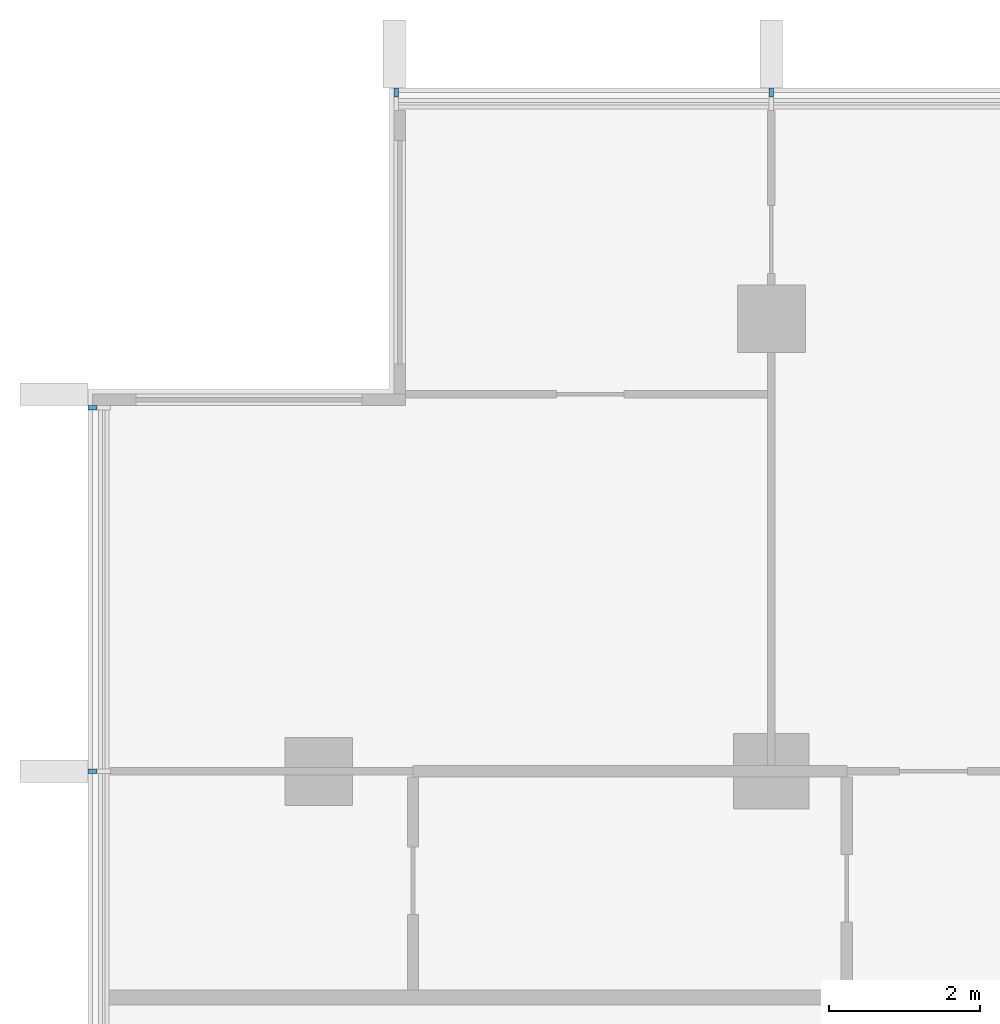
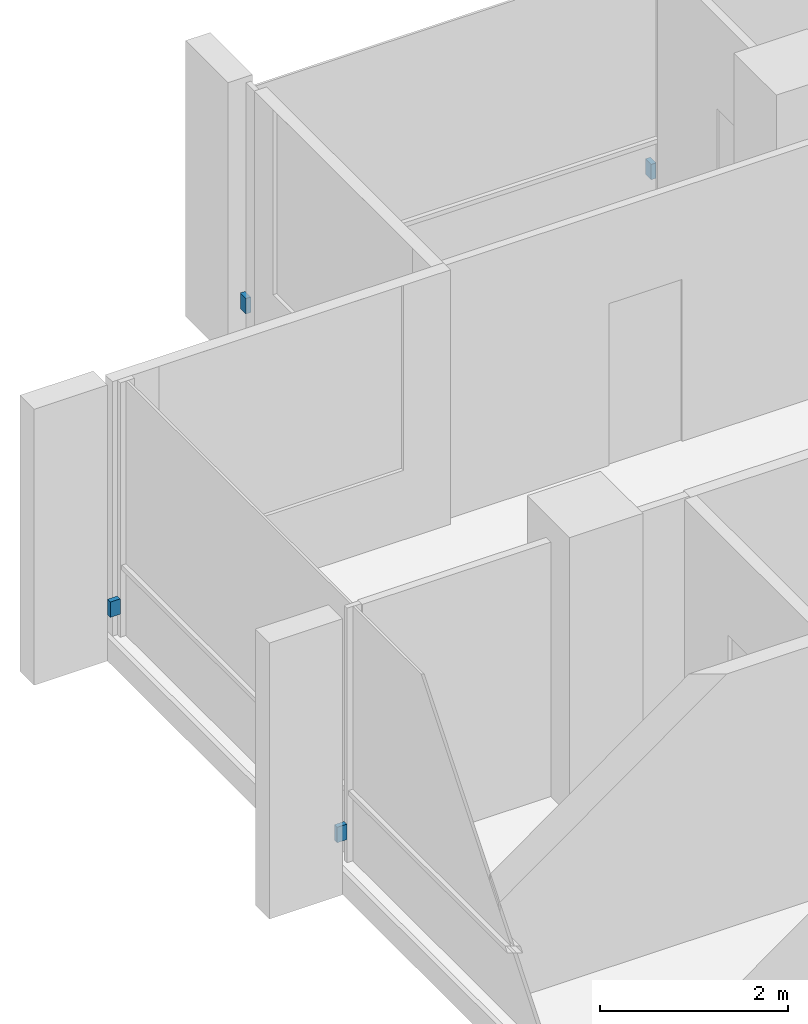
# One storey, part 14 of 16: 4 discrete accessories.
"""IFC4 building model written with IfcOpenShell, lengths in metres."""

from ifc_helpers import new_model, si_unit, direction, frame, origin, origin_2d, place, context, subcontext, project, spatial, rectangle, extrude, material, type_object, element, save


model = new_model("IFC4")

# Units and contexts
model_context = context("Model", 3, precision=1e-05, world=origin(), true_north=direction((0.0, 1.0)))
body_context = subcontext(model_context, "Body", "Model", "MODEL_VIEW")
ifc_project = project(units=[si_unit("LENGTHUNIT", "METRE"), si_unit("AREAUNIT", "SQUARE_METRE"), si_unit("VOLUMEUNIT", "CUBIC_METRE"), si_unit("PLANEANGLEUNIT", "RADIAN"), si_unit("MASSUNIT", "GRAM", prefix="KILO")], contexts=[model_context])

# Site, building, storey
site_placement = place(None, origin())
site = spatial("IfcSite", under=ifc_project, at=site_placement, CompositionType="ELEMENT")
building_placement = place(site_placement, origin())
building = spatial("IfcBuilding", under=site, at=building_placement, Name="Finial Court Residences", CompositionType="ELEMENT")
storey_placement = place(building_placement, frame((0.0, 0.0, 188.89990234375)))
storey = spatial("IfcBuildingStorey", under=building, at=storey_placement, Name="L47", CompositionType="ELEMENT", Elevation=188.89990234375)

# Discrete accessories
ifc_material = material(Name="Stainless steel 316", Category="steel")
discrete_accessory_type = type_object("IfcDiscreteAccessoryType", Name="Fin bracket, stainless steel 60 x 122 x 200", PredefinedType="BRACKET", material=ifc_material)
for number, where, z_axis, x_axis, name in (
    (1, (-15.469970703125, 22.498779296875, 0.30029296875), (0.0, 0.0, 1.0), (1.0, 0.0, 0.0), "E-L47-FIN-N1-BRK"),
    (2, (-10.5, 22.498779296875, 0.30029296875), (0.0, 0.0, 1.0), (1.0, 0.0, 0.0), "E-L47-FIN-N2-BRK"),
):
    element("IfcDiscreteAccessory", number, at=place(storey_placement, frame(where, z_axis=z_axis, x_axis=x_axis)), inside=storey, type_object=discrete_accessory_type, Name=name, PredefinedType="BRACKET", context=body_context, shape_type="SweptSolid", body=[
        extrude(rectangle(XDim=0.06005859375, YDim=0.12255859375, at=origin_2d()), origin(), (0.0, 0.0, 1.0), 0.199951171875),
    ])
for number, where, z_axis, x_axis, name in (
    (3, (-19.498779296875, 13.5, 0.30029296875), (0.0, 0.0, 1.0), (1.0, 0.0, 0.0), "E-L47-FIN-W27-BRK"),
    (4, (-19.498779296875, 18.320068359375, 0.30029296875), (0.0, 0.0, 1.0), (1.0, 0.0, 0.0), "E-L47-FIN-W28-BRK"),
):
    element("IfcDiscreteAccessory", number, at=place(storey_placement, frame(where, z_axis=z_axis, x_axis=x_axis)), inside=storey, type_object=discrete_accessory_type, Name=name, PredefinedType="BRACKET", context=body_context, shape_type="SweptSolid", body=[
        extrude(rectangle(XDim=0.12255859375, YDim=0.06005859375, at=origin_2d()), origin(), (0.0, 0.0, 1.0), 0.199951171875),
    ])

save(model, "model.ifc")
